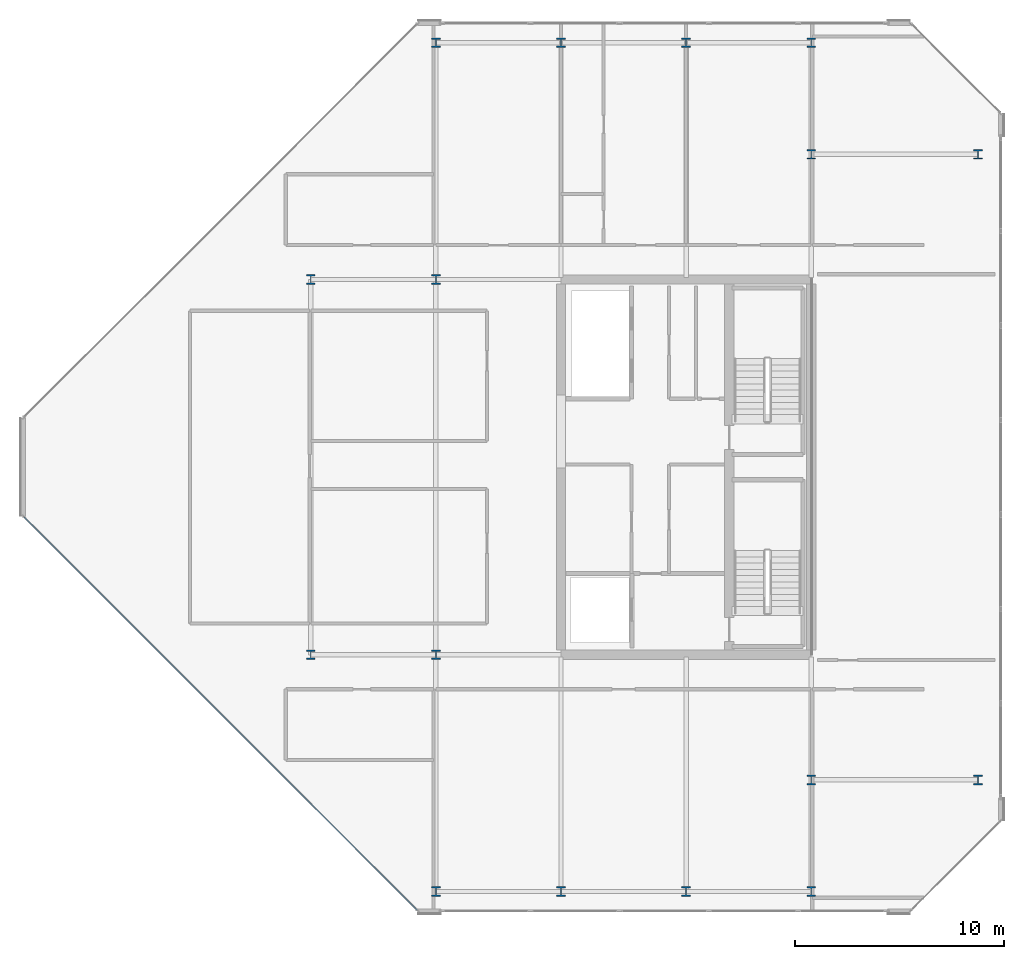
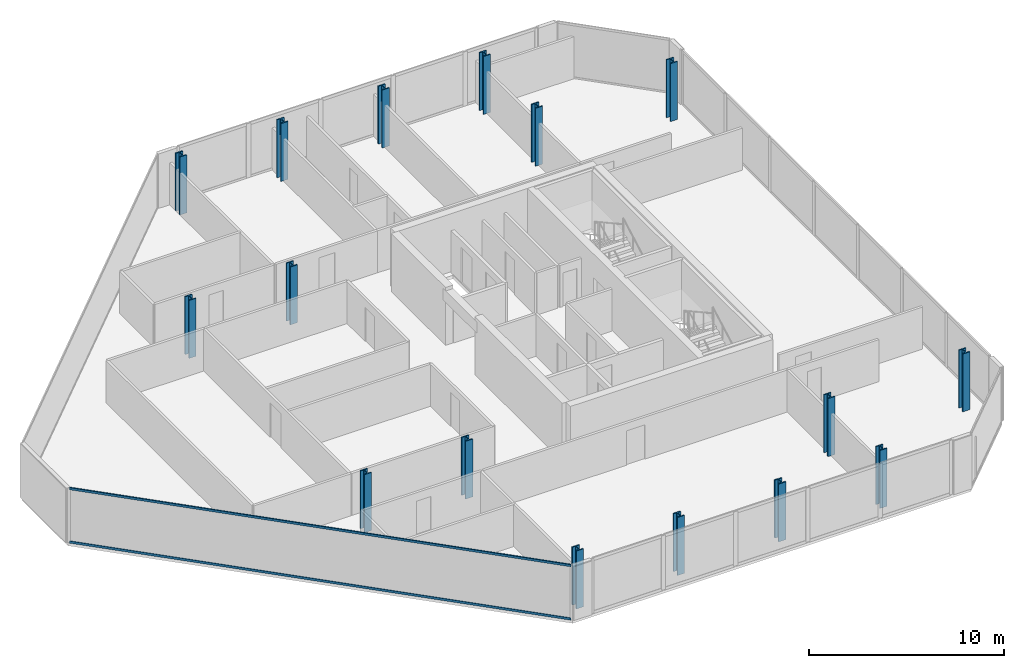
# One storey, part 1 of 17: 16 columns, 2 members, 1 element without a shape of its own.
"""IFC4 building model written with IfcOpenShell, lengths in metres."""

from ifc_helpers import new_model, si_unit, direction, frame, origin, origin_2d, place, context, subcontext, project, spatial, hollow_rectangle, i_section, extrude, material, layer, layer_set, material_profile, profile_set, type_object, element, aggregate, save


model = new_model("IFC4")

# Units and contexts
model_context = context("Model", 3, precision=1e-05, world=origin(), true_north=direction((0.0, 1.0)))
body_context = subcontext(model_context, "Body", "Model", "MODEL_VIEW")
ifc_project = project(units=[si_unit("LENGTHUNIT", "METRE"), si_unit("AREAUNIT", "SQUARE_METRE"), si_unit("VOLUMEUNIT", "CUBIC_METRE"), si_unit("PLANEANGLEUNIT", "RADIAN"), si_unit("MASSUNIT", "GRAM", prefix="KILO")], contexts=[model_context])

# Site, building, storey
site_placement = place(None, origin())
site = spatial("IfcSite", under=ifc_project, at=site_placement, CompositionType="ELEMENT")
building_placement = place(site_placement, origin())
building = spatial("IfcBuilding", under=site, at=building_placement, Name="Tanjung Sevakor Pilgrim Tower", CompositionType="ELEMENT")
storey_placement = place(building_placement, frame((0.0, 0.0, 264.330078125)))
storey = spatial("IfcBuildingStorey", under=building, at=storey_placement, Name="L74", CompositionType="ELEMENT", Elevation=264.330078125)

# Columns
ifc_material_1 = material(Name="Steel S460M", Category="steel")
ifc_material_profile_1 = material_profile(ifc_material_1, i_section(OverallWidth=0.4208984375, OverallDepth=0.465087890625, WebThickness=0.044921875, FlangeThickness=0.070068359375, FilletRadius=0.014892578125, at=origin_2d()))
ifc_profile_set_1 = profile_set([ifc_material_profile_1], Name="Steel S460M")
column_type = type_object("IfcColumnType", Name="COL-C-S592-HD_400x592", PredefinedType="COLUMN", material=ifc_profile_set_1)
for number, where, z_axis, x_axis, name in (
    (1, (66.0, 24.60009765625, 0.0), (0.0, 0.0, 1.0), (1.0, 0.0, 0.0), "L74 Column SPE-066-246"),
    (2, (66.0, 42.60009765625, 0.0), (0.0, 0.0, 1.0), (1.0, 0.0, 0.0), "L74 Column SPE-066-426"),
    (3, (72.0, 24.60009765625, 0.0), (0.0, 0.0, 1.0), (1.0, 0.0, 0.0), "L74 Column SPE-072-246"),
    (4, (72.0, 42.60009765625, 0.0), (0.0, 0.0, 1.0), (1.0, 0.0, 0.0), "L74 Column SPE-072-426"),
    (5, (90.0, 18.60009765625, 0.0), (0.0, 0.0, 1.0), (1.0, 0.0, 0.0), "L74 Column TCE-0900-186"),
    (6, (90.0, 48.60009765625, 0.0), (0.0, 0.0, 1.0), (1.0, 0.0, 0.0), "L74 Column TCE-0900-486"),
    (7, (98.0, 18.60009765625, 0.0), (0.0, 0.0, 1.0), (1.0, 0.0, 0.0), "L74 Column TCE-0980-186"),
    (8, (98.0, 48.60009765625, 0.0), (0.0, 0.0, 1.0), (1.0, 0.0, 0.0), "L74 Column TCE-0980-486"),
    (9, (72.0, 13.25, 0.0), (0.0, 0.0, 1.0), (1.0, 0.0, 0.0), "L74 Column TC4-072-132"),
    (10, (72.0, 53.949951171875, 0.0), (0.0, 0.0, 1.0), (1.0, 0.0, 0.0), "L74 Column TC4-072-540"),
    (11, (78.0, 13.25, 0.0), (0.0, 0.0, 1.0), (1.0, 0.0, 0.0), "L74 Column TC4-078-132"),
    (12, (78.0, 53.949951171875, 0.0), (0.0, 0.0, 1.0), (1.0, 0.0, 0.0), "L74 Column TC4-078-540"),
    (13, (84.0, 13.25, 0.0), (0.0, 0.0, 1.0), (1.0, 0.0, 0.0), "L74 Column TC4-084-132"),
    (14, (84.0, 53.949951171875, 0.0), (0.0, 0.0, 1.0), (1.0, 0.0, 0.0), "L74 Column TC4-084-540"),
    (15, (90.0, 13.25, 0.0), (0.0, 0.0, 1.0), (1.0, 0.0, 0.0), "L74 Column TC4-090-132"),
    (16, (90.0, 53.949951171875, 0.0), (0.0, 0.0, 1.0), (1.0, 0.0, 0.0), "L74 Column TC4-090-540"),
):
    element("IfcColumn", number, at=place(storey_placement, frame(where, z_axis=z_axis, x_axis=x_axis)), inside=storey, type_object=column_type, Name=name, PredefinedType="COLUMN", context=body_context, shape_type="SweptSolid", body=[
        extrude(i_section(OverallWidth=0.4208984375, OverallDepth=0.465087890625, WebThickness=0.044921875, FlangeThickness=0.070068359375, FilletRadius=0.014892578125, at=origin_2d()), origin(), (0.0, 0.0, 1.0), 3.6298828125),
    ])

# Curtain wall, members
ifc_material_2 = material(Name="Aluminium 6063-T6 and Low-E Glass", Category="aluminium")
ifc_layer = layer(ifc_material_2, 0.179931640625)
ifc_layer_set = layer_set([ifc_layer], Name="CW-SYS-CHAM")
curtain_wall_type = type_object("IfcCurtainWallType", Name="CW-SYS-CHAM", PredefinedType="NOTDEFINED", material=ifc_layer_set)
curtain_wall_placement = place(storey_placement, origin())
curtain_wall = element("IfcCurtainWall", 17, at=curtain_wall_placement, inside=storey, type_object=curtain_wall_type, Name="L74 Curtain Wall CW-CHM-L74-EAST-7", PredefinedType="NOTDEFINED")
ifc_material_3 = material(Name="Aluminium 6063-T6", Category="aluminium")
ifc_material_profile_2 = material_profile(ifc_material_3, hollow_rectangle(XDim=0.06494140625, YDim=0.139892578125, WallThickness=0.00390625, at=origin_2d()))
ifc_profile_set_2 = profile_set([ifc_material_profile_2], Name="Aluminium 6063-T6")
member_type = type_object("IfcMemberType", Name="TYPE-CWT-1", PredefinedType="USERDEFINED", material=ifc_profile_set_2)
member_1_placement = place(storey_placement, frame((52.255859375, 31.19970703125, 0.032470703125), z_axis=(0.707106781187, -0.707106781187, 0.0), x_axis=(0.707106781187, 0.707106781187, 0.0)))
member_1 = element("IfcMember", 18, at=member_1_placement, type_object=member_type, Name="CW-CHM transom 1.1", ObjectType="TRANSOM", PredefinedType="USERDEFINED", context=body_context, shape_type="SweptSolid", body=[
    extrude(hollow_rectangle(XDim=0.06494140625, YDim=0.139892578125, WallThickness=0.00390625, at=origin_2d()), origin(), (0.0, 0.0, 1.0), 26.649169921875),
])
member_2_placement = place(storey_placement, frame((52.255859375, 31.19970703125, 3.37744140625), z_axis=(0.707106781187, -0.707106781187, 0.0), x_axis=(0.707106781187, 0.707106781187, 0.0)))
member_2 = element("IfcMember", 19, at=member_2_placement, type_object=member_type, Name="CW-CHM transom 1.2", ObjectType="TRANSOM", PredefinedType="USERDEFINED", context=body_context, shape_type="SweptSolid", body=[
    extrude(hollow_rectangle(XDim=0.06494140625, YDim=0.139892578125, WallThickness=0.00390625, at=origin_2d()), origin(), (0.0, 0.0, 1.0), 26.649169921875),
])
aggregate(curtain_wall, [member_1, member_2])

save(model, "model.ifc")
